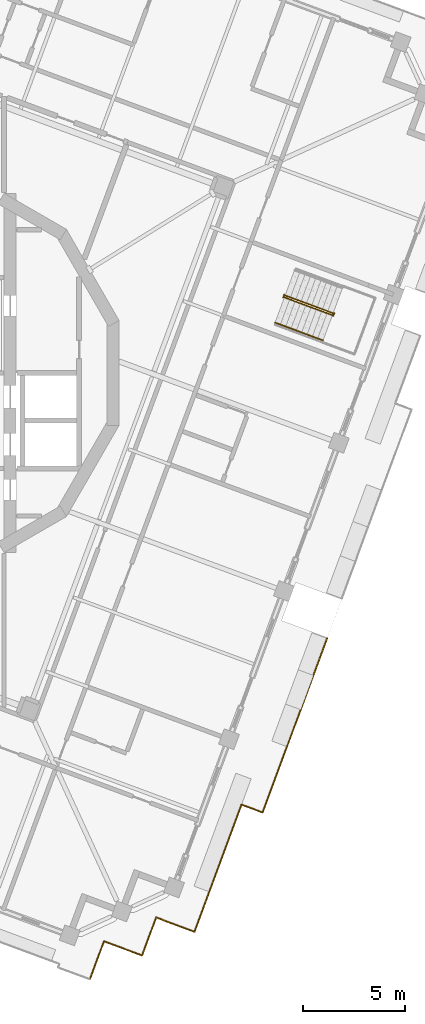
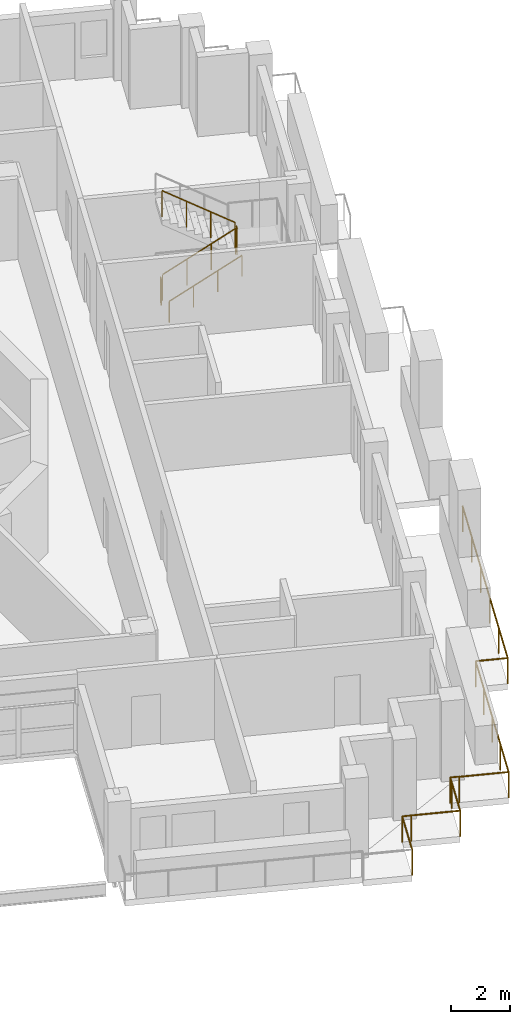
# One storey, part 15 of 19: 5 railings.
"""IFC4 building model written with IfcOpenShell, lengths in metres."""

from ifc_helpers import new_model, si_unit, direction, frame, origin, origin_2d, place, context, subcontext, project, spatial, circle, extrude, material, type_object, element, save


model = new_model("IFC4")

# Units and contexts
model_context = context("Model", 3, precision=1e-05, world=origin(), true_north=direction((0.0, 1.0)))
body_context = subcontext(model_context, "Body", "Model", "MODEL_VIEW")
ifc_project = project(units=[si_unit("LENGTHUNIT", "METRE"), si_unit("AREAUNIT", "SQUARE_METRE"), si_unit("VOLUMEUNIT", "CUBIC_METRE"), si_unit("PLANEANGLEUNIT", "RADIAN"), si_unit("MASSUNIT", "GRAM", prefix="KILO")], contexts=[model_context])

# Site, building, storey
site_placement = place(None, origin())
site = spatial("IfcSite", under=ifc_project, at=site_placement, CompositionType="ELEMENT")
building_placement = place(site_placement, origin())
building = spatial("IfcBuilding", under=site, at=building_placement, Name="Cantera Rosa Tower", CompositionType="ELEMENT")
storey_placement = place(building_placement, frame((0.0, 0.0, 324.10009765625)))
storey = spatial("IfcBuildingStorey", under=building, at=storey_placement, Name="L72", CompositionType="ELEMENT", Elevation=324.10009765625)

# Railings
ifc_material_1 = material(Name="Stainless steel and laminated glass", Category="steel")
railing_type_1 = type_object("IfcRailingType", Name="GUARD 1100", PredefinedType="BALUSTRADE", material=ifc_material_1)
railing_1_placement = place(storey_placement, frame((19.911376953125, -13.051513671875, 0.0)))
element("IfcRailing", 1, at=railing_1_placement, inside=storey, type_object=railing_type_1, Name="GUARD L72-7", PredefinedType="BALUSTRADE", context=body_context, shape_type="SweptSolid", body=[
    extrude(circle(Radius=0.030029296875, at=origin_2d()), frame((0.0, 0.0, 1.070068359375), z_axis=(-0.347474136688, -0.937689567145, 0.0), x_axis=(0.937689567145, -0.347474136688, 0.0)), (0.0, 0.0, 1.0), 9.156494140625),
    extrude(circle(Radius=0.030029296875, at=origin_2d()), frame((-3.181640625, -8.5859375, 1.070068359375), z_axis=(-0.937674167555, 0.347515691013, 0.0), x_axis=(-0.347515691013, -0.937674167555, 0.0)), (0.0, 0.0, 1.0), 1.105712890625),
    extrude(circle(Radius=0.030029296875, at=origin_2d()), frame((-4.218505859375, -8.20166015625, 1.070068359375), z_axis=(-0.347504967842, -0.937678141648, 0.0), x_axis=(0.937678141648, -0.347504967842, 0.0)), (0.0, 0.0, 1.0), 6.67431640625),
    extrude(circle(Radius=0.030029296875, at=origin_2d()), frame((-6.537841796875, -14.4599609375, 1.070068359375), z_axis=(-0.93766211216, 0.347548217403, 0.0), x_axis=(-0.347548217403, -0.93766211216, 0.0)), (0.0, 0.0, 1.0), 1.699951171875),
    extrude(circle(Radius=0.030029296875, at=origin_2d()), frame((-8.1318359375, -13.869140625, 1.070068359375), z_axis=(0.355217760624, 0.934783580588, 0.0), x_axis=(-0.934783580588, 0.355217760624, 0.0)), (0.0, 0.0, 1.0), 0.012939453125),
    extrude(circle(Radius=0.030029296875, at=origin_2d()), frame((-8.127197265625, -13.85693359375, 1.070068359375), z_axis=(-0.937635888853, 0.347618957962, 0.0), x_axis=(-0.347618957962, -0.937635888853, 0.0)), (0.0, 0.0, 1.0), 0.313232421875),
    extrude(circle(Radius=0.030029296875, at=origin_2d()), frame((-8.4208984375, -13.748046875, 1.070068359375), z_axis=(-0.346933448503, -0.937889749549, 0.0), x_axis=(0.937889749549, -0.346933448503, 0.0)), (0.0, 0.0, 1.0), 0.313232421875),
    extrude(circle(Radius=0.030029296875, at=origin_2d()), frame((-8.529541015625, -14.041748046875, 1.070068359375), z_axis=(-0.347488755066, -0.937684149969, 0.0), x_axis=(0.937684149969, -0.347488755066, 0.0)), (0.0, 0.0, 1.0), 1.68701171875),
    extrude(circle(Radius=0.030029296875, at=origin_2d()), frame((-9.11572265625, -15.62353515625, 1.070068359375), z_axis=(-0.937684149969, 0.347488755066, 0.0), x_axis=(-0.347488755066, -0.937684149969, 0.0)), (0.0, 0.0, 1.0), 1.68701171875),
    extrude(circle(Radius=0.030029296875, at=origin_2d()), frame((-10.697509765625, -15.037353515625, 1.070068359375), z_axis=(-0.937635888853, 0.347618957962, 0.0), x_axis=(-0.347618957962, -0.937635888853, 0.0)), (0.0, 0.0, 1.0), 0.313232421875),
    extrude(circle(Radius=0.030029296875, at=origin_2d()), frame((-10.9912109375, -14.928466796875, 1.070068359375), z_axis=(-0.347401818267, -0.937716362588, 0.0), x_axis=(0.937716362588, -0.347401818267, 0.0)), (0.0, 0.0, 1.0), 2.0),
    extrude(circle(Radius=0.02490234375, at=origin_2d()), origin(), (0.0, 0.0, 1.0), 1.0400390625),
    extrude(circle(Radius=0.02490234375, at=origin_2d()), frame((-0.63623046875, -1.71728515625, 0.0)), (0.0, 0.0, 1.0), 1.0400390625),
    extrude(circle(Radius=0.02490234375, at=origin_2d()), frame((-1.272705078125, -3.434326171875, 0.0)), (0.0, 0.0, 1.0), 1.0400390625),
    extrude(circle(Radius=0.02490234375, at=origin_2d()), frame((-1.908935546875, -5.151611328125, 0.0)), (0.0, 0.0, 1.0), 1.0400390625),
    extrude(circle(Radius=0.02490234375, at=origin_2d()), frame((-2.54541015625, -6.86865234375, 0.0)), (0.0, 0.0, 1.0), 1.0400390625),
    extrude(circle(Radius=0.02490234375, at=origin_2d()), frame((-3.181640625, -8.5859375, 0.0)), (0.0, 0.0, 1.0), 1.0400390625),
    extrude(circle(Radius=0.02490234375, at=origin_2d()), frame((-4.218505859375, -8.20166015625, 0.0)), (0.0, 0.0, 1.0), 1.0400390625),
    extrude(circle(Radius=0.02490234375, at=origin_2d()), frame((-4.79833984375, -9.76611328125, 0.0)), (0.0, 0.0, 1.0), 1.0400390625),
    extrude(circle(Radius=0.02490234375, at=origin_2d()), frame((-5.378173828125, -11.330810546875, 0.0)), (0.0, 0.0, 1.0), 1.0400390625),
    extrude(circle(Radius=0.02490234375, at=origin_2d()), frame((-5.9580078125, -12.8955078125, 0.0)), (0.0, 0.0, 1.0), 1.0400390625),
    extrude(circle(Radius=0.02490234375, at=origin_2d()), frame((-6.537841796875, -14.4599609375, 0.0)), (0.0, 0.0, 1.0), 1.0400390625),
    extrude(circle(Radius=0.02490234375, at=origin_2d()), frame((-8.1318359375, -13.869140625, 0.0)), (0.0, 0.0, 1.0), 1.0400390625),
    extrude(circle(Radius=0.02490234375, at=origin_2d()), frame((-8.127197265625, -13.85693359375, 0.0)), (0.0, 0.0, 1.0), 1.0400390625),
    extrude(circle(Radius=0.02490234375, at=origin_2d()), frame((-8.4208984375, -13.748046875, 0.0)), (0.0, 0.0, 1.0), 1.0400390625),
    extrude(circle(Radius=0.02490234375, at=origin_2d()), frame((-8.529541015625, -14.041748046875, 0.0)), (0.0, 0.0, 1.0), 1.0400390625),
    extrude(circle(Radius=0.02490234375, at=origin_2d()), frame((-9.11572265625, -15.62353515625, 0.0)), (0.0, 0.0, 1.0), 1.0400390625),
    extrude(circle(Radius=0.02490234375, at=origin_2d()), frame((-10.697509765625, -15.037353515625, 0.0)), (0.0, 0.0, 1.0), 1.0400390625),
    extrude(circle(Radius=0.02490234375, at=origin_2d()), frame((-10.9912109375, -14.928466796875, 0.0)), (0.0, 0.0, 1.0), 1.0400390625),
    extrude(circle(Radius=0.02490234375, at=origin_2d()), frame((-11.68603515625, -16.803955078125, 0.0)), (0.0, 0.0, 1.0), 1.0400390625),
])
ifc_material_2 = material(Name="Steel S355J2 (EN 10025-2)", Category="steel")
railing_type_2 = type_object("IfcRailingType", Name="STAIR GUARD 1100", PredefinedType="GUARDRAIL", material=ifc_material_2)
railing_2_placement = place(storey_placement, frame((17.802490234375, 3.721923828125, 0.179931640625)))
element("IfcRailing", 2, at=railing_2_placement, inside=storey, type_object=railing_type_2, Name="L72 ST-61 stair guard 1", PredefinedType="GUARDRAIL", context=body_context, shape_type="SweptSolid", body=[
    extrude(circle(Radius=0.02392578125, at=origin_2d()), frame((0.0, 0.0, 1.076171875), z_axis=(0.78878233546, -0.292319685639, 0.540713998944), x_axis=(0.347500508527, 0.937679794265, 0.0)), (0.0, 0.0, 1.0), 2.995849609375),
    extrude(circle(Radius=0.02392578125, at=origin_2d()), frame((2.363037109375, -0.875732421875, 2.69580078125), z_axis=(0.671593765389, -0.740919573429, 0.0), x_axis=(0.740919573429, 0.671593765389, 0.0)), (0.0, 0.0, 1.0), 0.056396484375),
    extrude(circle(Radius=0.02392578125, at=origin_2d()), frame((2.40087890625, -0.91748046875, 2.69580078125), z_axis=(0.348268249601, 0.937394914814, 0.0), x_axis=(-0.937394914814, 0.348268249601, 0.0)), (0.0, 0.0, 1.0), 0.14990234375),
    extrude(circle(Radius=0.02099609375, at=origin_2d()), origin(), (0.0, 0.0, 1.0), 1.052001953125),
    extrude(circle(Radius=0.02099609375, at=origin_2d()), frame((0.78759765625, -0.2919921875, 0.5400390625)), (0.0, 0.0, 1.0), 1.052001953125),
    extrude(circle(Radius=0.02099609375, at=origin_2d()), frame((1.575439453125, -0.583740234375, 1.079833984375)), (0.0, 0.0, 1.0), 1.052001953125),
    extrude(circle(Radius=0.02099609375, at=origin_2d()), frame((2.363037109375, -0.875732421875, 1.619873046875)), (0.0, 0.0, 1.0), 1.052001953125),
    extrude(circle(Radius=0.02099609375, at=origin_2d()), frame((2.40087890625, -0.91748046875, 1.619873046875)), (0.0, 0.0, 1.0), 1.052001953125),
    extrude(circle(Radius=0.02099609375, at=origin_2d()), frame((2.453125, -0.77685546875, 1.619873046875)), (0.0, 0.0, 1.0), 1.052001953125),
])
railing_3_placement = place(storey_placement, frame((20.19970703125, 2.93798828125, 1.97998046875)))
element("IfcRailing", 3, at=railing_3_placement, inside=storey, type_object=railing_type_2, Name="L72 ST-61 stair guard 2", PredefinedType="GUARDRAIL", context=body_context, shape_type="SweptSolid", body=[
    extrude(circle(Radius=0.02392578125, at=origin_2d()), frame((0.0, 0.0, 1.076171875), z_axis=(-0.78878233546, 0.292319685639, 0.540713998944), x_axis=(-0.347500508527, -0.937679794265, 0.0)), (0.0, 0.0, 1.0), 2.995849609375),
    extrude(circle(Radius=0.02099609375, at=origin_2d()), origin(), (0.0, 0.0, 1.0), 1.052001953125),
    extrude(circle(Radius=0.02099609375, at=origin_2d()), frame((-0.78759765625, 0.2919921875, 0.5400390625)), (0.0, 0.0, 1.0), 1.052001953125),
    extrude(circle(Radius=0.02099609375, at=origin_2d()), frame((-1.575439453125, 0.583740234375, 1.079833984375)), (0.0, 0.0, 1.0), 1.052001953125),
    extrude(circle(Radius=0.02099609375, at=origin_2d()), frame((-2.363037109375, 0.875732421875, 1.619873046875)), (0.0, 0.0, 1.0), 1.052001953125),
])
railing_4_placement = place(storey_placement, frame((17.74658203125, 3.71484375, 0.0)))
element("IfcRailing", 4, at=railing_4_placement, inside=storey, type_object=railing_type_2, Name="L72 ST-61 stair guard 3", PredefinedType="GUARDRAIL", context=body_context, shape_type="SweptSolid", body=[
    extrude(circle(Radius=0.02392578125, at=origin_2d()), frame((0.0, 0.0, 1.076171875), z_axis=(0.348268249601, 0.937394914814, 0.0), x_axis=(-0.937394914814, 0.348268249601, 0.0)), (0.0, 0.0, 1.0), 0.14990234375),
    extrude(circle(Radius=0.02099609375, at=origin_2d()), origin(), (0.0, 0.0, 1.0), 1.052001953125),
    extrude(circle(Radius=0.02099609375, at=origin_2d()), frame((0.05224609375, 0.140625, 0.0)), (0.0, 0.0, 1.0), 1.052001953125),
])
ifc_material_3 = material(Name="Steel S355J2 (EN 10025-2)", Category="steel")
railing_type_3 = type_object("IfcRailingType", Name="STAIR HANDRAIL 900", PredefinedType="HANDRAIL", material=ifc_material_3)
railing_5_placement = place(storey_placement, frame((17.341796875, 2.478515625, 0.179931640625)))
element("IfcRailing", 5, at=railing_5_placement, inside=storey, type_object=railing_type_3, Name="L72 ST-61 stair handrail 1", PredefinedType="HANDRAIL", context=body_context, shape_type="SweptSolid", body=[
    extrude(circle(Radius=0.02392578125, at=origin_2d()), frame((0.0, 0.0, 0.8759765625), z_axis=(0.78878233546, -0.292319685639, 0.540713998944), x_axis=(0.347500508527, 0.937679794265, 0.0)), (0.0, 0.0, 1.0), 2.995849609375),
    extrude(circle(Radius=0.02099609375, at=origin_2d()), origin(), (0.0, 0.0, 1.0), 0.851806640625),
    extrude(circle(Radius=0.02099609375, at=origin_2d()), frame((0.78759765625, -0.2919921875, 0.5400390625)), (0.0, 0.0, 1.0), 0.851806640625),
    extrude(circle(Radius=0.02099609375, at=origin_2d()), frame((1.575439453125, -0.583740234375, 1.079833984375)), (0.0, 0.0, 1.0), 0.851806640625),
    extrude(circle(Radius=0.02099609375, at=origin_2d()), frame((2.363037109375, -0.875732421875, 1.619873046875)), (0.0, 0.0, 1.0), 0.851806640625),
])

save(model, "model.ifc")
